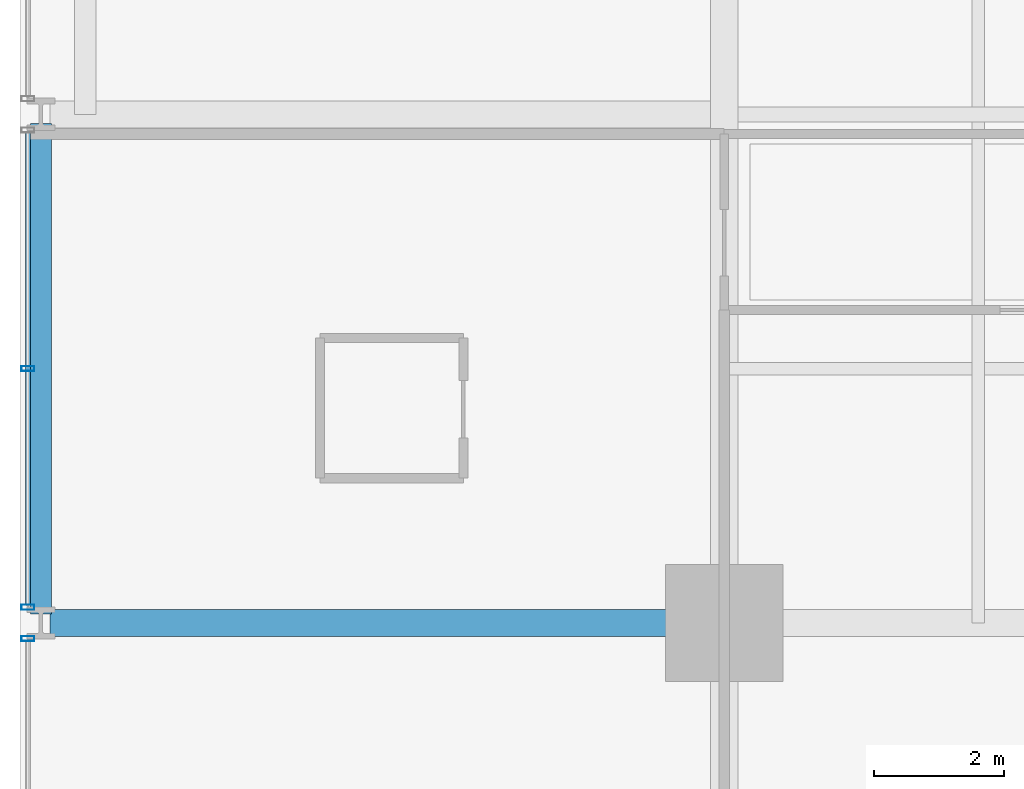
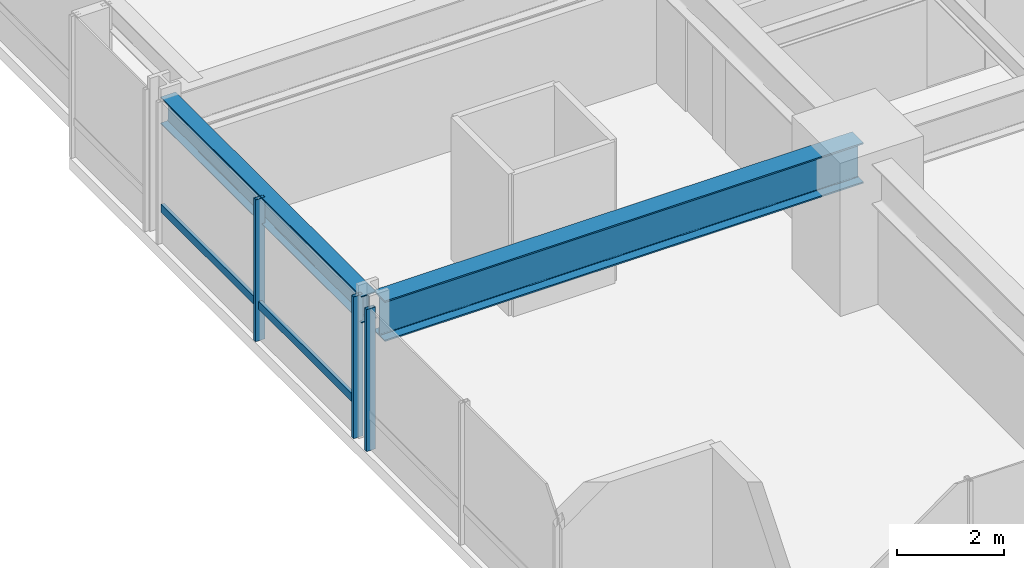
# One storey, part 4 of 37: 4 members, 2 beams, 2 elements without a shape of their own.
"""IFC4 building model written with IfcOpenShell, lengths in metres."""

from ifc_helpers import new_model, si_unit, direction, frame, origin, origin_2d, place, context, subcontext, project, spatial, hollow_rectangle, i_section, extrude, material, layer, layer_set, material_profile, profile_set, type_object, element, aggregate, save


model = new_model("IFC4")

# Units and contexts
model_context = context("Model", 3, precision=1e-05, world=origin(), true_north=direction((0.0, 1.0)))
body_context = subcontext(model_context, "Body", "Model", "MODEL_VIEW")
ifc_project = project(units=[si_unit("LENGTHUNIT", "METRE"), si_unit("AREAUNIT", "SQUARE_METRE"), si_unit("VOLUMEUNIT", "CUBIC_METRE"), si_unit("PLANEANGLEUNIT", "RADIAN"), si_unit("MASSUNIT", "GRAM", prefix="KILO")], contexts=[model_context])

# Site, building, storey
site_placement = place(None, origin())
site = spatial("IfcSite", under=ifc_project, at=site_placement, CompositionType="ELEMENT")
building_placement = place(site_placement, origin())
building = spatial("IfcBuilding", under=site, at=building_placement, Name="Drelvath Grand Hotel", CompositionType="ELEMENT")
storey_placement = place(building_placement, frame((0.0, 0.0, 43.699951171875)))
storey = spatial("IfcBuildingStorey", under=building, at=storey_placement, Name="L09", CompositionType="ELEMENT", Elevation=43.699951171875)

# Curtain wall, member
ifc_material_1 = material(Name="Warm Bronze Anodised Aluminium Frame", Category="aluminium")
ifc_layer = layer(ifc_material_1, 0.199951171875)
ifc_layer_set = layer_set([ifc_layer], Name="Warm Bronze Anodised Aluminium Frame")
curtain_wall_type = type_object("IfcCurtainWallType", Name="Stick Curtain Wall CW-02 Warm Bronze Low-Rise", PredefinedType="NOTDEFINED", material=ifc_layer_set)
curtain_wall_1_placement = place(storey_placement, origin())
curtain_wall_1 = element("IfcCurtainWall", 1, at=curtain_wall_1_placement, inside=storey, type_object=curtain_wall_type, Name="L09 CW-02 Curtain Wall CW02-L09-WS2", PredefinedType="NOTDEFINED")
ifc_material_profile_1 = material_profile(ifc_material_1, hollow_rectangle(XDim=0.074951171875, YDim=0.179931640625, WallThickness=0.0048828125, at=origin_2d()), Name="HSS180X75X5")
ifc_profile_set_1 = profile_set([ifc_material_profile_1], Name="Warm Bronze Anodised Aluminium Frame")
member_type_1 = type_object("IfcMemberType", Name="Curtain Wall Horizontal Transom CW-02 HSS180X75X5", PredefinedType="USERDEFINED", material=ifc_profile_set_1)
member_1_placement = place(storey_placement, frame((-26.8798828125, 11.080810546875, 0.81005859375), z_axis=(0.0, 1.0, 0.0), x_axis=(-1.0, 0.0, 0.0)))
member_1 = element("IfcMember", 2, at=member_1_placement, type_object=member_type_1, Name="CW02-L09-WS2 Sill Transom", ObjectType="TRANSOM", PredefinedType="USERDEFINED", context=body_context, shape_type="SweptSolid", body=[
    extrude(hollow_rectangle(XDim=0.074951171875, YDim=0.179931640625, WallThickness=0.0048828125, at=origin_2d()), origin(), (0.0, 0.0, 1.0), 7.23828125),
])

curtain_wall_2_placement = place(storey_placement, origin())
curtain_wall_2 = element("IfcCurtainWall", 3, at=curtain_wall_2_placement, inside=storey, type_object=curtain_wall_type, Name="L09 CW-02 Curtain Wall CW02-L09-WS1", PredefinedType="NOTDEFINED")
ifc_material_profile_2 = material_profile(ifc_material_1, hollow_rectangle(XDim=0.080078125, YDim=0.199951171875, WallThickness=0.0048828125, at=origin_2d()), Name="HSS200X80X5")
ifc_profile_set_2 = profile_set([ifc_material_profile_2], Name="Warm Bronze Anodised Aluminium Frame")
member_type_2 = type_object("IfcMemberType", Name="Curtain Wall Vertical Mullion CW-02 HSS200X80X5", PredefinedType="MULLION", material=ifc_profile_set_2)
member_2_placement = place(storey_placement, frame((-26.8798828125, 10.55908203125, 0.0), z_axis=(0.0, 0.0, 1.0), x_axis=(0.0, 1.0, 0.0)))
member_2 = element("IfcMember", 4, at=member_2_placement, type_object=member_type_2, Name="CW02-L09-WS1 Mullion 3", PredefinedType="MULLION", context=body_context, shape_type="SweptSolid", body=[
    extrude(hollow_rectangle(XDim=0.080078125, YDim=0.199951171875, WallThickness=0.0048828125, at=origin_2d()), origin(), (0.0, 0.0, 1.0), 3.239990234375),
])
aggregate(curtain_wall_2, [member_2])

# Member
member_3_placement = place(storey_placement, frame((-26.8798828125, 11.041015625, 0.0), z_axis=(0.0, 0.0, 1.0), x_axis=(0.0, 1.0, 0.0)))
member_3 = element("IfcMember", 5, at=member_3_placement, type_object=member_type_2, Name="CW02-L09-WS2 Mullion 1", PredefinedType="MULLION", context=body_context, shape_type="SweptSolid", body=[
    extrude(hollow_rectangle(XDim=0.080078125, YDim=0.199951171875, WallThickness=0.0048828125, at=origin_2d()), origin(), (0.0, 0.0, 1.0), 3.239990234375),
])

member_4_placement = place(storey_placement, frame((-26.8798828125, 14.699951171875, 0.0), z_axis=(0.0, 0.0, 1.0), x_axis=(0.0, 1.0, 0.0)))
member_4 = element("IfcMember", 6, at=member_4_placement, type_object=member_type_2, Name="CW02-L09-WS2 Mullion 2", PredefinedType="MULLION", context=body_context, shape_type="SweptSolid", body=[
    extrude(hollow_rectangle(XDim=0.080078125, YDim=0.199951171875, WallThickness=0.0048828125, at=origin_2d()), origin(), (0.0, 0.0, 1.0), 3.239990234375),
])

aggregate(curtain_wall_1, [member_3, member_4, member_1])

# Beams
ifc_material_2 = material(Name="Steel ASTM A992 Gr 50", Category="steel")
ifc_material_profile_3 = material_profile(ifc_material_2, i_section(OverallWidth=0.323974609375, OverallDepth=0.611083984375, WebThickness=0.0126953125, FlangeThickness=0.01904296875, FilletRadius=0.02197265625, at=origin_2d()), Name="W24X104")
ifc_profile_set_3 = profile_set([ifc_material_profile_3], Name="Steel ASTM A992 Gr 50")
beam_type_1 = type_object("IfcBeamType", Name="Perimeter Spandrel Beam W24X104", PredefinedType="SPANDREL", material=ifc_profile_set_3)
beam_1_placement = place(storey_placement, frame((-26.679931640625, 10.93994140625, 2.9345703125), z_axis=(0.0, 1.0, 0.0), x_axis=(-1.0, 0.0, 0.0)))
element("IfcBeam", 7, at=beam_1_placement, inside=storey, type_object=beam_type_1, Name="L09 Spandrel West S", PredefinedType="SPANDREL", context=body_context, shape_type="SweptSolid", body=[
    extrude(i_section(OverallWidth=0.323974609375, OverallDepth=0.611083984375, WebThickness=0.0126953125, FlangeThickness=0.01904296875, FilletRadius=0.02197265625, at=origin_2d()), origin(), (0.0, 0.0, 1.0), 7.52001953125),
])
ifc_material_profile_4 = material_profile(ifc_material_2, i_section(OverallWidth=0.418212890625, OverallDepth=0.926513671875, WebThickness=0.019287109375, FlangeThickness=0.031982421875, FilletRadius=0.028076171875, at=origin_2d()), Name="W36X231")
ifc_profile_set_4 = profile_set([ifc_material_profile_4], Name="Steel ASTM A992 Gr 50")
beam_type_2 = type_object("IfcBeamType", Name="Primary Floor Girder W36X231", PredefinedType="BEAM", material=ifc_profile_set_4)
beam_2_placement = place(storey_placement, frame((-26.5400390625, 10.800048828125, 2.77685546875), z_axis=(1.0, 0.0, 0.0), x_axis=(0.0, 1.0, 0.0)))
element("IfcBeam", 8, at=beam_2_placement, inside=storey, type_object=beam_type_2, Name="L09 West Grid Girder C", PredefinedType="BEAM", context=body_context, shape_type="SweptSolid", body=[
    extrude(i_section(OverallWidth=0.418212890625, OverallDepth=0.926513671875, WebThickness=0.019287109375, FlangeThickness=0.031982421875, FilletRadius=0.028076171875, at=origin_2d()), origin(), (0.0, 0.0, 1.0), 10.340087890625),
])

save(model, "model.ifc")
